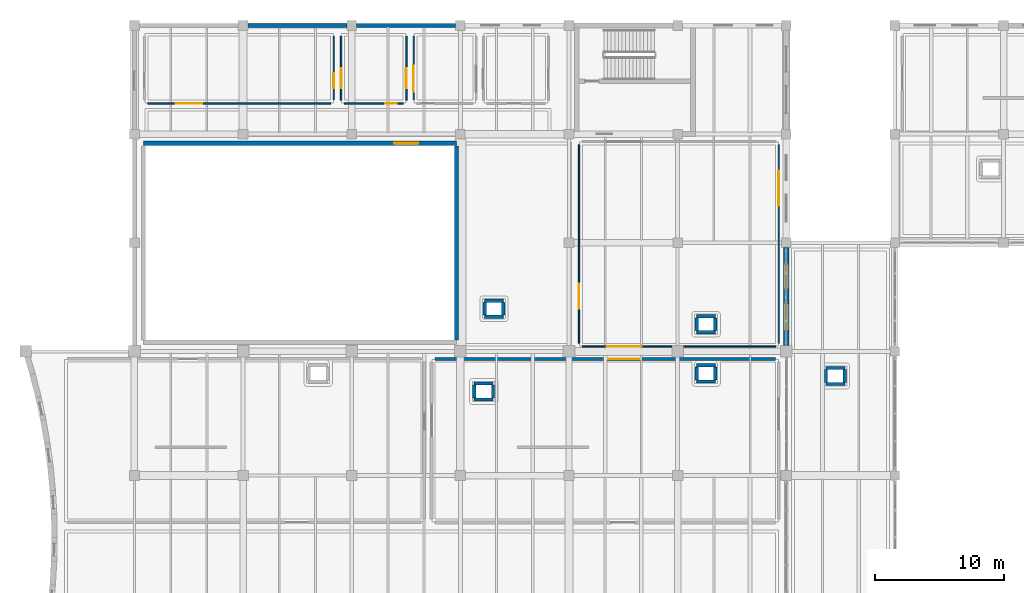
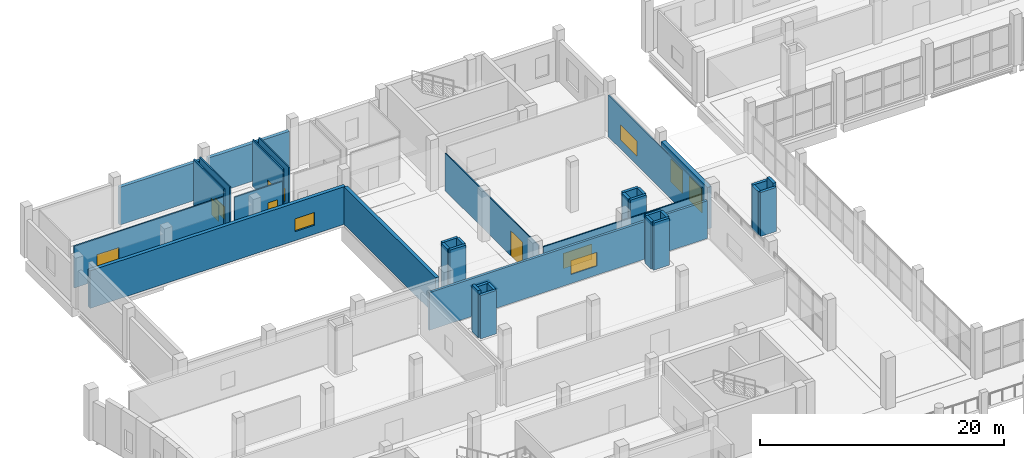
# One storey, part 46 of 66: 35 walls, 10 windows, 3 doors, 13 openings.
"""IFC4 building model written with IfcOpenShell, lengths in metres."""

from ifc_helpers import new_model, si_unit, direction, frame, frame_2d, origin, place, context, subcontext, project, spatial, rectangle, extrude, material, layer, layer_set, type_object, element, fill, save


model = new_model("IFC4")

# Units and contexts
model_context = context("Model", 3, precision=1e-05, world=origin(), true_north=direction((0.0, 1.0)))
body_context = subcontext(model_context, "Body", "Model", "MODEL_VIEW")
ifc_project = project(units=[si_unit("LENGTHUNIT", "METRE"), si_unit("AREAUNIT", "SQUARE_METRE"), si_unit("VOLUMEUNIT", "CUBIC_METRE"), si_unit("PLANEANGLEUNIT", "RADIAN"), si_unit("MASSUNIT", "GRAM", prefix="KILO")], contexts=[model_context])

# Site, building, storey
site_placement = place(None, origin())
site = spatial("IfcSite", under=ifc_project, at=site_placement, CompositionType="ELEMENT")
building_placement = place(site_placement, origin())
building = spatial("IfcBuilding", under=site, at=building_placement, Name="Zulmaris Art Gallery", CompositionType="ELEMENT")
storey_placement = place(building_placement, frame((0.0, 0.0, 5.39990234375)))
storey = spatial("IfcBuildingStorey", under=building, at=storey_placement, Name="L01", CompositionType="ELEMENT", Elevation=5.39990234375)

# Wall, openings, windows
ifc_material_1 = material(Name="Omani Desert Rose Limestone Cladding Wall", Category="masonry")
ifc_layer_1 = layer(ifc_material_1, 0.389892578125)
ifc_layer_set_1 = layer_set([ifc_layer_1], Name="Omani Desert Rose Limestone Cladding Wall")
wall_type_1 = type_object("IfcWallType", Name="ENV-WALL-EW02", PredefinedType="SOLIDWALL", material=ifc_layer_set_1)
wall_1_placement = place(storey_placement, frame((82.800048828125, 50.85205078125, 0.0), z_axis=(0.0, 0.0, 1.0), x_axis=(0.0, 1.0, 0.0)))
wall_1 = element("IfcWall", 1, at=wall_1_placement, inside=storey, type_object=wall_type_1, Name="L01 V3 East Learning Studio Wall", PredefinedType="SOLIDWALL", context=body_context, shape_type="SweptSolid", body=[
    extrude(rectangle(XDim=7.595947265625, YDim=0.389892578125, at=frame_2d((3.7978515625, 0.0))), origin(), (0.0, 0.0, 1.0), 4.170166015625),
])
opening_1_placement = place(wall_1_placement, frame((1.16796875, 0.0, 0.85009765625)))
opening_1 = element("IfcOpeningElement", 2, at=opening_1_placement, cuts=wall_1, Name="Opening W03", PredefinedType="OPENING", context=body_context, shape_type="SweptSolid", body=[
    extrude(rectangle(XDim=2.10009765625, YDim=2.39990234375, at=frame_2d((1.050048828125, 1.199951171875))), frame((0.0, 0.204833984375, 0.0), z_axis=(0.0, -1.0, 0.0), x_axis=(1.0, 0.0, 0.0)), (0.0, 0.0, 1.0), 0.409912109375),
])
opening_2_placement = place(wall_1_placement, frame((4.367919921875, 0.0, 0.85009765625)))
opening_2 = element("IfcOpeningElement", 3, at=opening_2_placement, cuts=wall_1, Name="Opening W08", PredefinedType="OPENING", context=body_context, shape_type="SweptSolid", body=[
    extrude(rectangle(XDim=1.949951171875, YDim=2.300048828125, at=frame_2d((0.97509765625, 1.14990234375))), frame((0.0, 0.204833984375, 0.0), z_axis=(0.0, -1.0, 0.0), x_axis=(1.0, 0.0, 0.0)), (0.0, 0.0, 1.0), 0.409912109375),
])
ifc_material_2 = material(Name="Double-Glazed Bronze-Framed Studio Window", Category="glass")
window_type_1 = type_object("IfcWindowType", Name="WIN-W03", PartitioningType="SINGLE_PANEL", PredefinedType="WINDOW", material=ifc_material_2)
window_1_placement = place(opening_1_placement, origin())
window_1 = element("IfcWindow", 4, at=window_1_placement, inside=storey, type_object=window_type_1, Name="L01 exterior window W03", OverallHeight=2.39990234375, OverallWidth=2.10009765625, PartitioningType="SINGLE_PANEL", PredefinedType="WINDOW", context=body_context, shape_type="SweptSolid", body=[
    extrude(rectangle(XDim=2.10009765625, YDim=2.39990234375, at=frame_2d((1.050048828125, 1.199951171875))), frame((0.0, 0.030029296875, 0.0), z_axis=(0.0, -1.0, 0.0), x_axis=(1.0, 0.0, 0.0)), (0.0, 0.0, 1.0), 0.06005859375),
])
fill(opening_1, window_1)
ifc_material_3 = material(Name="Curatorial North Studio Window", Category="glass")
window_type_2 = type_object("IfcWindowType", Name="WIN-W08", PartitioningType="SINGLE_PANEL", PredefinedType="WINDOW", material=ifc_material_3)
window_2_placement = place(opening_2_placement, origin())
window_2 = element("IfcWindow", 5, at=window_2_placement, inside=storey, type_object=window_type_2, Name="L01 exterior window W08", OverallHeight=2.300048828125, OverallWidth=1.949951171875, PartitioningType="SINGLE_PANEL", PredefinedType="WINDOW", context=body_context, shape_type="SweptSolid", body=[
    extrude(rectangle(XDim=1.949951171875, YDim=2.300048828125, at=frame_2d((0.97509765625, 1.14990234375))), frame((0.0, 0.030029296875, 0.0), z_axis=(0.0, -1.0, 0.0), x_axis=(1.0, 0.0, 0.0)), (0.0, 0.0, 1.0), 0.06005859375),
])
fill(opening_2, window_2)

# Walls
ifc_material_4 = material(Name="Stucco-Rendered Acoustic Blockwork Wall", Category="masonry")
ifc_layer_2 = layer(ifc_material_4, 0.320068359375)
ifc_layer_set_2 = layer_set([ifc_layer_2], Name="Stucco-Rendered Acoustic Blockwork Wall")
wall_type_2 = type_object("IfcWallType", Name="ENV-WALL-EW04", PredefinedType="SOLIDWALL", material=ifc_layer_set_2)
for number, where, z_axis, x_axis, name in (
    (6, (41.177001953125, 75.60009765625, 0.0), (0.0, 0.0, 1.0), (1.0, 0.0, 0.0), "L01 V3 North Limestone Wall (40.8..49.2)"),
    (7, (49.576904296875, 75.60009765625, 0.0), (0.0, 0.0, 1.0), (1.0, 0.0, 0.0), "L01 V3 North Limestone Wall (49.2..57.6)"),
):
    element("IfcWall", number, at=place(storey_placement, frame(where, z_axis=z_axis, x_axis=x_axis)), inside=storey, type_object=wall_type_2, Name=name, PredefinedType="SOLIDWALL", context=body_context, shape_type="SweptSolid", body=[
        extrude(rectangle(XDim=7.64599609375, YDim=0.320068359375, at=frame_2d((3.822998046875, 0.0))), origin(), (0.0, 0.0, 1.0), 3.77001953125),
    ])

# Wall, opening, door
ifc_material_5 = material(Name="Acoustic Office Gypsum Partition", Category="gypsum")
ifc_layer_3 = layer(ifc_material_5, 0.10009765625)
ifc_layer_set_3 = layer_set([ifc_layer_3], Name="Acoustic Office Gypsum Partition")
wall_type_3 = type_object("IfcWallType", Name="IWALL-PW01", PredefinedType="PARTITIONING", material=ifc_layer_set_3)
wall_2_placement = place(storey_placement, frame((66.780029296875, 51.030029296875, 0.0), z_axis=(0.0, 0.0, 1.0), x_axis=(0.0, 1.0, 0.0)))
wall_2 = element("IfcWall", 8, at=wall_2_placement, inside=storey, type_object=wall_type_3, Name="Art Reference Library & Reading Room W partition", PredefinedType="PARTITIONING", context=body_context, shape_type="SweptSolid", body=[
    extrude(rectangle(XDim=15.340087890625, YDim=0.10009765625, at=frame_2d((7.669921875, 0.0))), origin(), (0.0, 0.0, 1.0), 3.77001953125),
])
opening_3_placement = place(wall_2_placement, frame((2.64990234375, 0.0, 0.0)))
opening_3 = element("IfcOpeningElement", 9, at=opening_3_placement, cuts=wall_2, Name="Opening D17", PredefinedType="OPENING", context=body_context, shape_type="SweptSolid", body=[
    extrude(rectangle(XDim=1.9599609375, YDim=2.52001953125, at=frame_2d((0.97998046875, 1.260009765625))), frame((0.0, 0.06005859375, 0.0), z_axis=(0.0, -1.0, 0.0), x_axis=(1.0, 0.0, 0.0)), (0.0, 0.0, 1.0), 0.1201171875),
])
ifc_material_6 = material(Name="Gallery Enfilade Bronze Double Door A", Category="aluminium")
door_type_1 = type_object("IfcDoorType", Name="IDOOR-D17", OperationType="DOUBLE_SWING_LEFT", PredefinedType="DOOR", material=ifc_material_6)
door_1_placement = place(opening_3_placement, origin())
door_1 = element("IfcDoor", 10, at=door_1_placement, inside=storey, type_object=door_type_1, Name="Art Reference Library & Reading Room Door", OperationType="DOUBLE_SWING_LEFT", OverallHeight=2.52001953125, OverallWidth=1.9599609375, PredefinedType="DOOR", context=body_context, shape_type="SweptSolid", body=[
    extrude(rectangle(XDim=1.9599609375, YDim=2.52001953125, at=frame_2d((0.97998046875, 1.260009765625))), frame((0.0, 0.02490234375, 0.0), z_axis=(0.0, -1.0, 0.0), x_axis=(1.0, 0.0, 0.0)), (0.0, 0.0, 1.0), 0.050048828125),
])
fill(opening_3, door_1)

# Wall, opening, window
wall_3_placement = place(storey_placement, frame((67.030029296875, 50.780029296875, 0.0), z_axis=(0.0, 0.0, 1.0), x_axis=(1.0, 0.0, 0.0)))
wall_3 = element("IfcWall", 11, at=wall_3_placement, inside=storey, type_object=wall_type_3, Name="Art Reference Library & Reading Room S partition", PredefinedType="PARTITIONING", context=body_context, shape_type="SweptSolid", body=[
    extrude(rectangle(XDim=14.93994140625, YDim=0.10009765625, at=frame_2d((7.469970703125, 0.0))), origin(), (0.0, 0.0, 1.0), 3.77001953125),
])
opening_4_placement = place(wall_3_placement, frame((1.89990234375, 0.0, 0.89990234375)))
opening_4 = element("IfcOpeningElement", 12, at=opening_4_placement, cuts=wall_3, Name="Opening IW07", PredefinedType="OPENING", context=body_context, shape_type="SweptSolid", body=[
    extrude(rectangle(XDim=2.679931640625, YDim=1.52001953125, at=frame_2d((1.33984375, 0.760009765625))), frame((0.0, 0.06005859375, 0.0), z_axis=(0.0, -1.0, 0.0), x_axis=(1.0, 0.0, 0.0)), (0.0, 0.0, 1.0), 0.1201171875),
])
ifc_material_7 = material(Name="Artists Salon Overlook Glazing", Category="glass")
window_type_3 = type_object("IfcWindowType", Name="IWIN-IW07", PartitioningType="SINGLE_PANEL", PredefinedType="WINDOW", material=ifc_material_7)
window_3_placement = place(opening_4_placement, origin())
window_3 = element("IfcWindow", 13, at=window_3_placement, inside=storey, type_object=window_type_3, Name="L01 interior observation window IW07", OverallHeight=1.52001953125, OverallWidth=2.679931640625, PartitioningType="SINGLE_PANEL", PredefinedType="WINDOW", context=body_context, shape_type="SweptSolid", body=[
    extrude(rectangle(XDim=2.679931640625, YDim=1.52001953125, at=frame_2d((1.33984375, 0.760009765625))), frame((0.0, 0.030029296875, 0.0), z_axis=(0.0, -1.0, 0.0), x_axis=(1.0, 0.0, 0.0)), (0.0, 0.0, 1.0), 0.06005859375),
])
fill(opening_4, window_3)

wall_4_placement = place(storey_placement, frame((82.219970703125, 51.030029296875, 0.0), z_axis=(0.0, 0.0, 1.0), x_axis=(0.0, 1.0, 0.0)))
wall_4 = element("IfcWall", 14, at=wall_4_placement, inside=storey, type_object=wall_type_3, Name="Art Reference Library & Reading Room E partition", PredefinedType="PARTITIONING", context=body_context, shape_type="SweptSolid", body=[
    extrude(rectangle(XDim=15.340087890625, YDim=0.10009765625, at=frame_2d((7.669921875, 0.0))), origin(), (0.0, 0.0, 1.0), 4.18017578125),
])
opening_5_placement = place(wall_4_placement, frame((10.64990234375, 0.0, 0.89990234375)))
opening_5 = element("IfcOpeningElement", 15, at=opening_5_placement, cuts=wall_4, Name="Opening IW07", PredefinedType="OPENING", context=body_context, shape_type="SweptSolid", body=[
    extrude(rectangle(XDim=2.679931640625, YDim=1.52001953125, at=frame_2d((1.33984375, 0.760009765625))), frame((0.0, 0.06005859375, 0.0), z_axis=(0.0, -1.0, 0.0), x_axis=(1.0, 0.0, 0.0)), (0.0, 0.0, 1.0), 0.1201171875),
])
window_4_placement = place(opening_5_placement, origin())
window_4 = element("IfcWindow", 16, at=window_4_placement, inside=storey, type_object=window_type_3, Name="L01 interior observation window IW07", OverallHeight=1.52001953125, OverallWidth=2.679931640625, PartitioningType="SINGLE_PANEL", PredefinedType="WINDOW", context=body_context, shape_type="SweptSolid", body=[
    extrude(rectangle(XDim=2.679931640625, YDim=1.52001953125, at=frame_2d((1.33984375, 0.760009765625))), frame((0.0, 0.030029296875, 0.0), z_axis=(0.0, -1.0, 0.0), x_axis=(1.0, 0.0, 0.0)), (0.0, 0.0, 1.0), 0.06005859375),
])
fill(opening_5, window_4)

# Wall, opening, door
ifc_material_8 = material(Name="Moisture-Resistant Tile-Backer Wet Wall", Category="gypsum")
ifc_layer_4 = layer(ifc_material_8, 0.114990234375)
ifc_layer_set_4 = layer_set([ifc_layer_4], Name="Moisture-Resistant Tile-Backer Wet Wall")
wall_type_4 = type_object("IfcWallType", Name="IWALL-PW02", PredefinedType="PARTITIONING", material=ifc_layer_set_4)
wall_5_placement = place(storey_placement, frame((48.6298828125, 69.580078125, 0.0), z_axis=(0.0, 0.0, 1.0), x_axis=(1.0, 0.0, 0.0)))
wall_5 = element("IfcWall", 17, at=wall_5_placement, inside=storey, type_object=wall_type_4, Name="Level 01 Male WC S partition", PredefinedType="PARTITIONING", context=body_context, shape_type="SweptSolid", body=[
    extrude(rectangle(XDim=4.5400390625, YDim=0.114990234375, at=frame_2d((2.27001953125, 0.0))), origin(), (0.0, 0.0, 1.0), 3.77001953125),
])
opening_6_placement = place(wall_5_placement, frame((3.14990234375, 0.0, 0.0)))
opening_6 = element("IfcOpeningElement", 18, at=opening_6_placement, cuts=wall_5, Name="Opening D01", PredefinedType="OPENING", context=body_context, shape_type="SweptSolid", body=[
    extrude(rectangle(XDim=0.89990234375, YDim=2.10009765625, at=frame_2d((0.449951171875, 1.050048828125))), frame((0.0, 0.0673828125, 0.0), z_axis=(0.0, -1.0, 0.0), x_axis=(1.0, 0.0, 0.0)), (0.0, 0.0, 1.0), 0.135009765625),
])
ifc_material_9 = material(Name="Moisture-Resistant WC Door", Category="timber")
door_type_2 = type_object("IfcDoorType", Name="IDOOR-D01", OperationType="NOTDEFINED", PredefinedType="DOOR", material=ifc_material_9)
door_2_placement = place(opening_6_placement, origin())
door_2 = element("IfcDoor", 19, at=door_2_placement, inside=storey, type_object=door_type_2, Name="Level 01 Male WC Door", OperationType="SINGLE_SWING_RIGHT", OverallHeight=2.10009765625, OverallWidth=0.89990234375, PredefinedType="DOOR", context=body_context, shape_type="SweptSolid", body=[
    extrude(rectangle(XDim=0.89990234375, YDim=2.10009765625, at=frame_2d((0.449951171875, 1.050048828125))), frame((0.0, 0.02490234375, 0.0), z_axis=(0.0, -1.0, 0.0), x_axis=(1.0, 0.0, 0.0)), (0.0, 0.0, 1.0), 0.050048828125),
])
fill(opening_6, door_2)

# Wall, opening, window
wall_6_placement = place(storey_placement, frame((48.3798828125, 69.830078125, 0.0), z_axis=(0.0, 0.0, 1.0), x_axis=(0.0, 1.0, 0.0)))
wall_6 = element("IfcWall", 20, at=wall_6_placement, inside=storey, type_object=wall_type_4, Name="Level 01 Male WC W partition", PredefinedType="PARTITIONING", context=body_context, shape_type="SweptSolid", body=[
    extrude(rectangle(XDim=4.93994140625, YDim=0.114990234375, at=frame_2d((2.469970703125, 0.0))), origin(), (0.0, 0.0, 1.0), 4.72021484375),
])
opening_7_placement = place(wall_6_placement, frame((0.89990234375, 0.0, 0.89990234375)))
opening_7 = element("IfcOpeningElement", 21, at=opening_7_placement, cuts=wall_6, Name="Opening IW09", PredefinedType="OPENING", context=body_context, shape_type="SweptSolid", body=[
    extrude(rectangle(XDim=1.580078125, YDim=1.239990234375, at=frame_2d((0.7900390625, 0.6201171875))), frame((0.0, 0.0673828125, 0.0), z_axis=(0.0, -1.0, 0.0), x_axis=(1.0, 0.0, 0.0)), (0.0, 0.0, 1.0), 0.135009765625),
])
ifc_material_10 = material(Name="Registrar Inspection Glazing", Category="glass")
window_type_4 = type_object("IfcWindowType", Name="IWIN-IW09", PartitioningType="SINGLE_PANEL", PredefinedType="WINDOW", material=ifc_material_10)
window_5_placement = place(opening_7_placement, origin())
window_5 = element("IfcWindow", 22, at=window_5_placement, inside=storey, type_object=window_type_4, Name="L01 interior observation window IW09", OverallHeight=1.239990234375, OverallWidth=1.580078125, PartitioningType="SINGLE_PANEL", PredefinedType="WINDOW", context=body_context, shape_type="SweptSolid", body=[
    extrude(rectangle(XDim=1.580078125, YDim=1.239990234375, at=frame_2d((0.7900390625, 0.6201171875))), frame((0.0, 0.030029296875, 0.0), z_axis=(0.0, -1.0, 0.0), x_axis=(1.0, 0.0, 0.0)), (0.0, 0.0, 1.0), 0.06005859375),
])
fill(opening_7, window_5)

wall_7_placement = place(storey_placement, frame((53.419921875, 69.830078125, 0.0), z_axis=(0.0, 0.0, 1.0), x_axis=(0.0, 1.0, 0.0)))
wall_7 = element("IfcWall", 23, at=wall_7_placement, inside=storey, type_object=wall_type_4, Name="Level 01 Male WC E partition", PredefinedType="PARTITIONING", context=body_context, shape_type="SweptSolid", body=[
    extrude(rectangle(XDim=4.93994140625, YDim=0.114990234375, at=frame_2d((2.469970703125, 0.0))), origin(), (0.0, 0.0, 1.0), 4.72021484375),
])
opening_8_placement = place(wall_7_placement, frame((0.89990234375, 0.0, 0.89990234375)))
opening_8 = element("IfcOpeningElement", 24, at=opening_8_placement, cuts=wall_7, Name="Opening IW09", PredefinedType="OPENING", context=body_context, shape_type="SweptSolid", body=[
    extrude(rectangle(XDim=1.580078125, YDim=1.239990234375, at=frame_2d((0.7900390625, 0.6201171875))), frame((0.0, 0.0673828125, 0.0), z_axis=(0.0, -1.0, 0.0), x_axis=(1.0, 0.0, 0.0)), (0.0, 0.0, 1.0), 0.135009765625),
])
window_6_placement = place(opening_8_placement, origin())
window_6 = element("IfcWindow", 25, at=window_6_placement, inside=storey, type_object=window_type_4, Name="L01 interior observation window IW09", OverallHeight=1.239990234375, OverallWidth=1.580078125, PartitioningType="SINGLE_PANEL", PredefinedType="WINDOW", context=body_context, shape_type="SweptSolid", body=[
    extrude(rectangle(XDim=1.580078125, YDim=1.239990234375, at=frame_2d((0.7900390625, 0.6201171875))), frame((0.0, 0.030029296875, 0.0), z_axis=(0.0, -1.0, 0.0), x_axis=(1.0, 0.0, 0.0)), (0.0, 0.0, 1.0), 0.06005859375),
])
fill(opening_8, window_6)

wall_8_placement = place(storey_placement, frame((53.97998046875, 69.830078125, 0.0), z_axis=(0.0, 0.0, 1.0), x_axis=(0.0, 1.0, 0.0)))
wall_8 = element("IfcWall", 26, at=wall_8_placement, inside=storey, type_object=wall_type_4, Name="Level 01 Female WC W partition", PredefinedType="PARTITIONING", context=body_context, shape_type="SweptSolid", body=[
    extrude(rectangle(XDim=4.93994140625, YDim=0.114990234375, at=frame_2d((2.469970703125, 0.0))), origin(), (0.0, 0.0, 1.0), 4.72021484375),
])
opening_9_placement = place(wall_8_placement, frame((0.64990234375, 0.0, 0.89990234375)))
opening_9 = element("IfcOpeningElement", 27, at=opening_9_placement, cuts=wall_8, Name="Opening IW10", PredefinedType="OPENING", context=body_context, shape_type="SweptSolid", body=[
    extrude(rectangle(XDim=2.02001953125, YDim=1.320068359375, at=frame_2d((1.010009765625, 0.66015625))), frame((0.0, 0.0673828125, 0.0), z_axis=(0.0, -1.0, 0.0), x_axis=(1.0, 0.0, 0.0)), (0.0, 0.0, 1.0), 0.135009765625),
])
ifc_material_11 = material(Name="Seminar Acoustic Viewing Window", Category="glass")
window_type_5 = type_object("IfcWindowType", Name="IWIN-IW10", PartitioningType="SINGLE_PANEL", PredefinedType="WINDOW", material=ifc_material_11)
window_7_placement = place(opening_9_placement, origin())
window_7 = element("IfcWindow", 28, at=window_7_placement, inside=storey, type_object=window_type_5, Name="L01 interior observation window IW10", OverallHeight=1.320068359375, OverallWidth=2.02001953125, PartitioningType="SINGLE_PANEL", PredefinedType="WINDOW", context=body_context, shape_type="SweptSolid", body=[
    extrude(rectangle(XDim=2.02001953125, YDim=1.320068359375, at=frame_2d((1.010009765625, 0.66015625))), frame((0.0, 0.030029296875, 0.0), z_axis=(0.0, -1.0, 0.0), x_axis=(1.0, 0.0, 0.0)), (0.0, 0.0, 1.0), 0.06005859375),
])
fill(opening_9, window_7)

# Wall, opening, door
ifc_material_12 = material(Name="Light Gallery Backing Partition", Category="gypsum")
ifc_layer_5 = layer(ifc_material_12, 0.1298828125)
ifc_layer_set_5 = layer_set([ifc_layer_5], Name="Light Gallery Backing Partition")
wall_type_5 = type_object("IfcWallType", Name="IWALL-PW03", PredefinedType="PARTITIONING", material=ifc_layer_set_5)
wall_9_placement = place(storey_placement, frame((33.429931640625, 69.580078125, 0.0), z_axis=(0.0, 0.0, 1.0), x_axis=(1.0, 0.0, 0.0)))
wall_9 = element("IfcWall", 29, at=wall_9_placement, inside=storey, type_object=wall_type_5, Name="Digital Media Seminar Room S partition", PredefinedType="PARTITIONING", context=body_context, shape_type="SweptSolid", body=[
    extrude(rectangle(XDim=14.14013671875, YDim=0.1298828125, at=frame_2d((7.070068359375, 0.0))), origin(), (0.0, 0.0, 1.0), 4.175048828125),
])
opening_10_placement = place(wall_9_placement, frame((2.14990234375, 0.0, 0.0)))
opening_10 = element("IfcOpeningElement", 30, at=opening_10_placement, cuts=wall_9, Name="Opening D18", PredefinedType="OPENING", context=body_context, shape_type="SweptSolid", body=[
    extrude(rectangle(XDim=2.080078125, YDim=2.580078125, at=frame_2d((1.0400390625, 1.2900390625))), frame((0.0, 0.074951171875, 0.0), z_axis=(0.0, -1.0, 0.0), x_axis=(1.0, 0.0, 0.0)), (0.0, 0.0, 1.0), 0.14990234375),
])
ifc_material_13 = material(Name="Grand Foyer Gallery Portal Door B", Category="aluminium")
door_type_3 = type_object("IfcDoorType", Name="IDOOR-D18", OperationType="DOUBLE_SWING_RIGHT", PredefinedType="DOOR", material=ifc_material_13)
door_3_placement = place(opening_10_placement, origin())
door_3 = element("IfcDoor", 31, at=door_3_placement, inside=storey, type_object=door_type_3, Name="Digital Media Seminar Room Door", OperationType="DOUBLE_SWING_RIGHT", OverallHeight=2.580078125, OverallWidth=2.080078125, PredefinedType="DOOR", context=body_context, shape_type="SweptSolid", body=[
    extrude(rectangle(XDim=2.080078125, YDim=2.580078125, at=frame_2d((1.0400390625, 1.2900390625))), frame((0.0, 0.02490234375, 0.0), z_axis=(0.0, -1.0, 0.0), x_axis=(1.0, 0.0, 0.0)), (0.0, 0.0, 1.0), 0.050048828125),
])
fill(opening_10, door_3)

# Wall, opening, window
wall_10_placement = place(storey_placement, frame((47.820068359375, 69.830078125, 0.0), z_axis=(0.0, 0.0, 1.0), x_axis=(0.0, 1.0, 0.0)))
wall_10 = element("IfcWall", 32, at=wall_10_placement, inside=storey, type_object=wall_type_5, Name="Digital Media Seminar Room E partition", PredefinedType="PARTITIONING", context=body_context, shape_type="SweptSolid", body=[
    extrude(rectangle(XDim=4.93994140625, YDim=0.1298828125, at=frame_2d((2.469970703125, 0.0))), origin(), (0.0, 0.0, 1.0), 4.72021484375),
])
opening_11_placement = place(wall_10_placement, frame((0.89990234375, 0.0, 0.89990234375)))
opening_11 = element("IfcOpeningElement", 33, at=opening_11_placement, cuts=wall_10, Name="Opening IW08", PredefinedType="OPENING", context=body_context, shape_type="SweptSolid", body=[
    extrude(rectangle(XDim=1.159912109375, YDim=1.6201171875, at=frame_2d((0.580078125, 0.81005859375))), frame((0.0, 0.074951171875, 0.0), z_axis=(0.0, -1.0, 0.0), x_axis=(1.0, 0.0, 0.0)), (0.0, 0.0, 1.0), 0.14990234375),
])
ifc_material_14 = material(Name="Foyer Cloakroom Counter Glazing", Category="glass")
window_type_6 = type_object("IfcWindowType", Name="IWIN-IW08", PartitioningType="SINGLE_PANEL", PredefinedType="WINDOW", material=ifc_material_14)
window_8_placement = place(opening_11_placement, origin())
window_8 = element("IfcWindow", 34, at=window_8_placement, inside=storey, type_object=window_type_6, Name="L01 interior observation window IW08", OverallHeight=1.6201171875, OverallWidth=1.159912109375, PartitioningType="SINGLE_PANEL", PredefinedType="WINDOW", context=body_context, shape_type="SweptSolid", body=[
    extrude(rectangle(XDim=1.159912109375, YDim=1.6201171875, at=frame_2d((0.580078125, 0.81005859375))), frame((0.0, 0.030029296875, 0.0), z_axis=(0.0, -1.0, 0.0), x_axis=(1.0, 0.0, 0.0)), (0.0, 0.0, 1.0), 0.06005859375),
])
fill(opening_11, window_8)

ifc_material_15 = material(Name="Hygrometric Art Store Buffer Wall", Category="masonry")
ifc_layer_6 = layer(ifc_material_15, 0.219970703125)
ifc_layer_set_6 = layer_set([ifc_layer_6], Name="Hygrometric Art Store Buffer Wall")
wall_type_6 = type_object("IfcWallType", Name="IWALL-PW09", PredefinedType="PARTITIONING", material=ifc_layer_set_6)
wall_11_placement = place(storey_placement, frame((55.6298828125, 49.820068359375, 0.0), z_axis=(0.0, 0.0, 1.0), x_axis=(1.0, 0.0, 0.0)))
wall_11 = element("IfcWall", 35, at=wall_11_placement, inside=storey, type_object=wall_type_6, Name="Contemporary Arab Photography Gallery N partition", PredefinedType="PARTITIONING", context=body_context, shape_type="SweptSolid", body=[
    extrude(rectangle(XDim=26.340087890625, YDim=0.219970703125, at=frame_2d((13.169921875, 0.0))), origin(), (0.0, 0.0, 1.0), 3.77001953125),
])
opening_12_placement = place(wall_11_placement, frame((13.39990234375, 0.0, 0.89990234375)))
opening_12 = element("IfcOpeningElement", 36, at=opening_12_placement, cuts=wall_11, Name="Opening IW05", PredefinedType="OPENING", context=body_context, shape_type="SweptSolid", body=[
    extrude(rectangle(XDim=2.4599609375, YDim=1.3798828125, at=frame_2d((1.22998046875, 0.68994140625))), frame((0.0, 0.119873046875, 0.0), z_axis=(0.0, -1.0, 0.0), x_axis=(1.0, 0.0, 0.0)), (0.0, 0.0, 1.0), 0.239990234375),
])
ifc_material_16 = material(Name="Workshop Safety Observation Window", Category="glass")
window_type_7 = type_object("IfcWindowType", Name="IWIN-IW05", PartitioningType="SINGLE_PANEL", PredefinedType="WINDOW", material=ifc_material_16)
window_9_placement = place(opening_12_placement, origin())
window_9 = element("IfcWindow", 37, at=window_9_placement, inside=storey, type_object=window_type_7, Name="L01 interior observation window IW05", OverallHeight=1.3798828125, OverallWidth=2.4599609375, PartitioningType="SINGLE_PANEL", PredefinedType="WINDOW", context=body_context, shape_type="SweptSolid", body=[
    extrude(rectangle(XDim=2.4599609375, YDim=1.3798828125, at=frame_2d((1.22998046875, 0.68994140625))), frame((0.0, 0.030029296875, 0.0), z_axis=(0.0, -1.0, 0.0), x_axis=(1.0, 0.0, 0.0)), (0.0, 0.0, 1.0), 0.06005859375),
])
fill(opening_12, window_9)

# Walls
ifc_material_17 = material(Name="MEP Riser & Smoke Shaft Enclosure Wall", Category="masonry")
ifc_layer_7 = layer(ifc_material_17, 0.2548828125)
ifc_layer_set_7 = layer_set([ifc_layer_7], Name="MEP Riser & Smoke Shaft Enclosure Wall")
wall_type_7 = type_object("IfcWallType", Name="IWALL-PW11", PredefinedType="PARTITIONING", material=ifc_layer_set_7)
for number, where, z_axis, x_axis, name in (
    (38, (58.659912109375, 47.919921875, 0.0), (0.0, 0.0, 1.0), (1.0, 0.0, 0.0), "L01 MEP Riser 2 N wall"),
    (39, (58.659912109375, 46.679931640625, 0.0), (0.0, 0.0, 1.0), (1.0, 0.0, 0.0), "L01 MEP Riser 2 S wall"),
):
    element("IfcWall", number, at=place(storey_placement, frame(where, z_axis=z_axis, x_axis=x_axis)), inside=storey, type_object=wall_type_7, Name=name, PredefinedType="PARTITIONING", context=body_context, shape_type="SweptSolid", body=[
        extrude(rectangle(XDim=1.47998046875, YDim=0.2548828125, at=frame_2d((0.739990234375, 0.0))), origin(), (0.0, 0.0, 1.0), 4.340087890625),
    ])
wall_12_placement = place(storey_placement, frame((58.679931640625, 46.800048828125, 0.0), z_axis=(0.0, 0.0, 1.0), x_axis=(0.0, 1.0, 0.0)))
element("IfcWall", 40, at=wall_12_placement, inside=storey, type_object=wall_type_7, Name="L01 MEP Riser 2 W wall", PredefinedType="PARTITIONING", context=body_context, shape_type="SweptSolid", body=[
    extrude(rectangle(XDim=1.0, YDim=0.2548828125, at=frame_2d((0.5, 0.0))), origin(), (0.0, 0.0, 1.0), 4.72021484375),
])
wall_13_placement = place(storey_placement, frame((60.1201171875, 46.800048828125, 0.0), z_axis=(0.0, 0.0, 1.0), x_axis=(0.0, 1.0, 0.0)))
element("IfcWall", 41, at=wall_13_placement, inside=storey, type_object=wall_type_7, Name="L01 MEP Riser 2 E wall", PredefinedType="PARTITIONING", context=body_context, shape_type="SweptSolid", body=[
    extrude(rectangle(XDim=1.0, YDim=0.2548828125, at=frame_2d((0.5, 0.0))), origin(), (0.0, 0.0, 1.0), 4.340087890625),
])
for number, where, z_axis, x_axis, name in (
    (42, (75.860107421875, 49.320068359375, 0.0), (0.0, 0.0, 1.0), (1.0, 0.0, 0.0), "L01 MEP Riser 3 N wall"),
    (43, (75.860107421875, 48.080078125, 0.0), (0.0, 0.0, 1.0), (1.0, 0.0, 0.0), "L01 MEP Riser 3 S wall"),
):
    element("IfcWall", number, at=place(storey_placement, frame(where, z_axis=z_axis, x_axis=x_axis)), inside=storey, type_object=wall_type_7, Name=name, PredefinedType="PARTITIONING", context=body_context, shape_type="SweptSolid", body=[
        extrude(rectangle(XDim=1.47998046875, YDim=0.2548828125, at=frame_2d((0.739990234375, 0.0))), origin(), (0.0, 0.0, 1.0), 4.72021484375),
    ])
for number, where, z_axis, x_axis, name in (
    (44, (75.8798828125, 48.199951171875, 0.0), (0.0, 0.0, 1.0), (0.0, 1.0, 0.0), "L01 MEP Riser 3 W wall"),
    (45, (77.320068359375, 48.199951171875, 0.0), (0.0, 0.0, 1.0), (0.0, 1.0, 0.0), "L01 MEP Riser 3 E wall"),
):
    element("IfcWall", number, at=place(storey_placement, frame(where, z_axis=z_axis, x_axis=x_axis)), inside=storey, type_object=wall_type_7, Name=name, PredefinedType="PARTITIONING", context=body_context, shape_type="SweptSolid", body=[
        extrude(rectangle(XDim=1.0, YDim=0.2548828125, at=frame_2d((0.5, 0.0))), origin(), (0.0, 0.0, 1.0), 4.72021484375),
    ])
for number, where, z_axis, x_axis, name in (
    (46, (85.860107421875, 49.1201171875, 0.0), (0.0, 0.0, 1.0), (1.0, 0.0, 0.0), "L01 MEP Riser 6 N wall"),
    (47, (85.860107421875, 47.8798828125, 0.0), (0.0, 0.0, 1.0), (1.0, 0.0, 0.0), "L01 MEP Riser 6 S wall"),
):
    element("IfcWall", number, at=place(storey_placement, frame(where, z_axis=z_axis, x_axis=x_axis)), inside=storey, type_object=wall_type_7, Name=name, PredefinedType="PARTITIONING", context=body_context, shape_type="SweptSolid", body=[
        extrude(rectangle(XDim=1.47998046875, YDim=0.2548828125, at=frame_2d((0.739990234375, 0.0))), origin(), (0.0, 0.0, 1.0), 4.400146484375),
    ])
wall_14_placement = place(storey_placement, frame((85.8798828125, 48.0, 0.0), z_axis=(0.0, 0.0, 1.0), x_axis=(0.0, 1.0, 0.0)))
element("IfcWall", 48, at=wall_14_placement, inside=storey, type_object=wall_type_7, Name="L01 MEP Riser 6 W wall", PredefinedType="PARTITIONING", context=body_context, shape_type="SweptSolid", body=[
    extrude(rectangle(XDim=1.0, YDim=0.2548828125, at=frame_2d((0.5, 0.0))), origin(), (0.0, 0.0, 1.0), 4.400146484375),
])
wall_15_placement = place(storey_placement, frame((87.320068359375, 48.0, 0.0), z_axis=(0.0, 0.0, 1.0), x_axis=(0.0, 1.0, 0.0)))
element("IfcWall", 49, at=wall_15_placement, inside=storey, type_object=wall_type_7, Name="L01 MEP Riser 6 E wall", PredefinedType="PARTITIONING", context=body_context, shape_type="SweptSolid", body=[
    extrude(rectangle(XDim=1.0, YDim=0.2548828125, at=frame_2d((0.5, 0.0))), origin(), (0.0, 0.0, 1.0), 4.72021484375),
])
for number, where, z_axis, x_axis, name in (
    (50, (59.4599609375, 54.320068359375, 0.0), (0.0, 0.0, 1.0), (1.0, 0.0, 0.0), "L01 MEP Riser 7 N wall"),
    (51, (59.4599609375, 53.080078125, 0.0), (0.0, 0.0, 1.0), (1.0, 0.0, 0.0), "L01 MEP Riser 7 S wall"),
):
    element("IfcWall", number, at=place(storey_placement, frame(where, z_axis=z_axis, x_axis=x_axis)), inside=storey, type_object=wall_type_7, Name=name, PredefinedType="PARTITIONING", context=body_context, shape_type="SweptSolid", body=[
        extrude(rectangle(XDim=1.47998046875, YDim=0.2548828125, at=frame_2d((0.739990234375, 0.0))), origin(), (0.0, 0.0, 1.0), 4.72021484375),
    ])
for number, where, z_axis, x_axis, name in (
    (52, (59.47998046875, 53.199951171875, 0.0), (0.0, 0.0, 1.0), (0.0, 1.0, 0.0), "L01 MEP Riser 7 W wall"),
    (53, (60.919921875, 53.199951171875, 0.0), (0.0, 0.0, 1.0), (0.0, 1.0, 0.0), "L01 MEP Riser 7 E wall"),
):
    element("IfcWall", number, at=place(storey_placement, frame(where, z_axis=z_axis, x_axis=x_axis)), inside=storey, type_object=wall_type_7, Name=name, PredefinedType="PARTITIONING", context=body_context, shape_type="SweptSolid", body=[
        extrude(rectangle(XDim=1.0, YDim=0.2548828125, at=frame_2d((0.5, 0.0))), origin(), (0.0, 0.0, 1.0), 4.72021484375),
    ])
for number, where, z_axis, x_axis, name in (
    (54, (75.860107421875, 53.1201171875, 0.0), (0.0, 0.0, 1.0), (1.0, 0.0, 0.0), "L01 MEP Riser 8 N wall"),
    (55, (75.860107421875, 51.8798828125, 0.0), (0.0, 0.0, 1.0), (1.0, 0.0, 0.0), "L01 MEP Riser 8 S wall"),
):
    element("IfcWall", number, at=place(storey_placement, frame(where, z_axis=z_axis, x_axis=x_axis)), inside=storey, type_object=wall_type_7, Name=name, PredefinedType="PARTITIONING", context=body_context, shape_type="SweptSolid", body=[
        extrude(rectangle(XDim=1.47998046875, YDim=0.2548828125, at=frame_2d((0.739990234375, 0.0))), origin(), (0.0, 0.0, 1.0), 4.72021484375),
    ])
for number, where, z_axis, x_axis, name in (
    (56, (75.8798828125, 52.0, 0.0), (0.0, 0.0, 1.0), (0.0, 1.0, 0.0), "L01 MEP Riser 8 W wall"),
    (57, (77.320068359375, 52.0, 0.0), (0.0, 0.0, 1.0), (0.0, 1.0, 0.0), "L01 MEP Riser 8 E wall"),
):
    element("IfcWall", number, at=place(storey_placement, frame(where, z_axis=z_axis, x_axis=x_axis)), inside=storey, type_object=wall_type_7, Name=name, PredefinedType="PARTITIONING", context=body_context, shape_type="SweptSolid", body=[
        extrude(rectangle(XDim=1.0, YDim=0.2548828125, at=frame_2d((0.5, 0.0))), origin(), (0.0, 0.0, 1.0), 4.72021484375),
    ])

# Wall, opening, window
ifc_material_18 = material(Name="Auditorium Double-Leaf Acoustic Isolation Wall", Category="masonry")
ifc_layer_8 = layer(ifc_material_18, 0.330078125)
ifc_layer_set_8 = layer_set([ifc_layer_8], Name="Auditorium Double-Leaf Acoustic Isolation Wall")
wall_type_8 = type_object("IfcWallType", Name="IWALL-PW14", PredefinedType="PARTITIONING", material=ifc_layer_set_8)
wall_16_placement = place(storey_placement, frame((33.10009765625, 66.5, 0.0), z_axis=(0.0, 0.0, 1.0), x_axis=(1.0, 0.0, 0.0)))
wall_16 = element("IfcWall", 58, at=wall_16_placement, inside=storey, type_object=wall_type_8, Name="L01 Auditorium Upper Acoustic Wall N", PredefinedType="PARTITIONING", context=body_context, shape_type="SweptSolid", body=[
    extrude(rectangle(XDim=24.199951171875, YDim=0.330078125, at=frame_2d((12.10009765625, 0.0))), origin(), (0.0, 0.0, 1.0), 3.77001953125),
])
opening_13_placement = place(wall_16_placement, frame((19.39990234375, 0.0, 0.89990234375)))
opening_13 = element("IfcOpeningElement", 59, at=opening_13_placement, cuts=wall_16, Name="Opening IW02", PredefinedType="OPENING", context=body_context, shape_type="SweptSolid", body=[
    extrude(rectangle(XDim=1.860107421875, YDim=1.280029296875, at=frame_2d((0.93017578125, 0.64013671875))), frame((0.0, 0.175048828125, 0.0), z_axis=(0.0, -1.0, 0.0), x_axis=(1.0, 0.0, 0.0)), (0.0, 0.0, 1.0), 0.35009765625),
])
ifc_material_19 = material(Name="Auditorium Booth Acoustic Window", Category="glass")
window_type_8 = type_object("IfcWindowType", Name="IWIN-IW02", PartitioningType="SINGLE_PANEL", PredefinedType="WINDOW", material=ifc_material_19)
window_10_placement = place(opening_13_placement, origin())
window_10 = element("IfcWindow", 60, at=window_10_placement, inside=storey, type_object=window_type_8, Name="L01 interior observation window IW02", OverallHeight=1.280029296875, OverallWidth=1.860107421875, PartitioningType="SINGLE_PANEL", PredefinedType="WINDOW", context=body_context, shape_type="SweptSolid", body=[
    extrude(rectangle(XDim=1.860107421875, YDim=1.280029296875, at=frame_2d((0.93017578125, 0.64013671875))), frame((0.0, 0.030029296875, 0.0), z_axis=(0.0, -1.0, 0.0), x_axis=(1.0, 0.0, 0.0)), (0.0, 0.0, 1.0), 0.06005859375),
])
fill(opening_13, window_10)

# Wall
wall_17_placement = place(storey_placement, frame((57.300048828125, 51.300048828125, 0.0), z_axis=(0.0, 0.0, 1.0), x_axis=(0.0, 1.0, 0.0)))
element("IfcWall", 61, at=wall_17_placement, inside=storey, type_object=wall_type_8, Name="L01 Auditorium Upper Acoustic Wall E", PredefinedType="PARTITIONING", context=body_context, shape_type="SweptSolid", body=[
    extrude(rectangle(XDim=15.0, YDim=0.330078125, at=frame_2d((7.5, 0.0))), origin(), (0.0, 0.0, 1.0), 3.77001953125),
])

save(model, "model.ifc")
